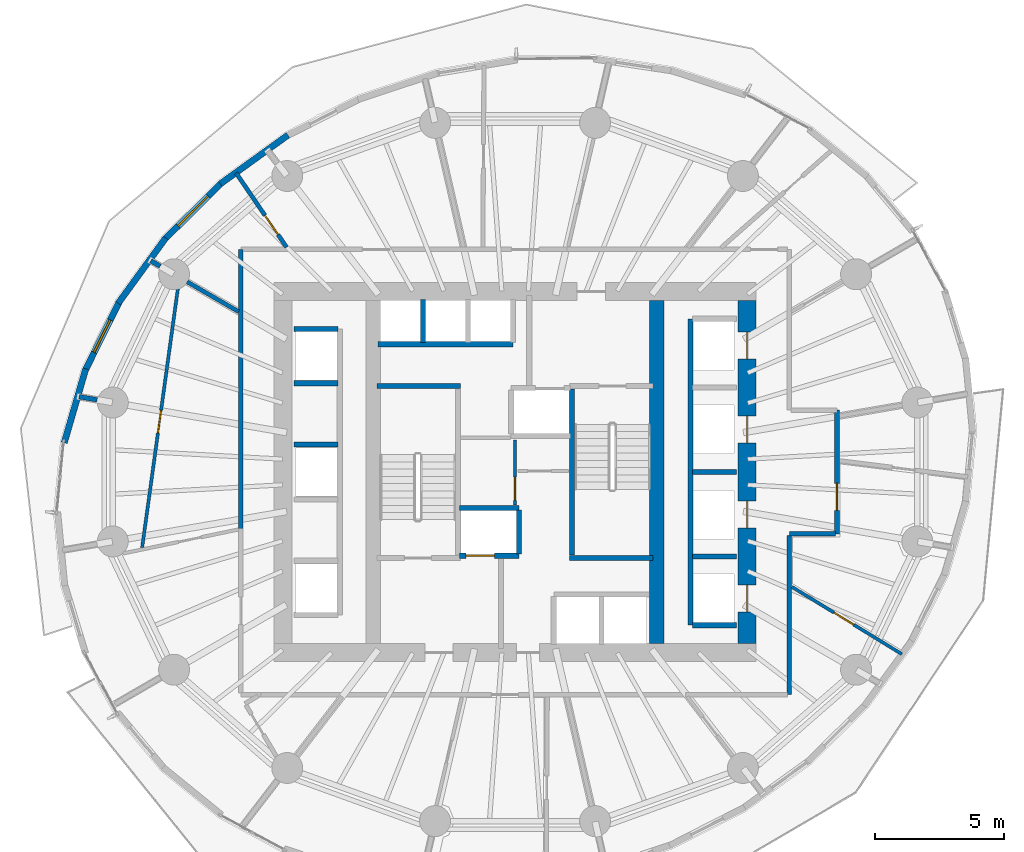
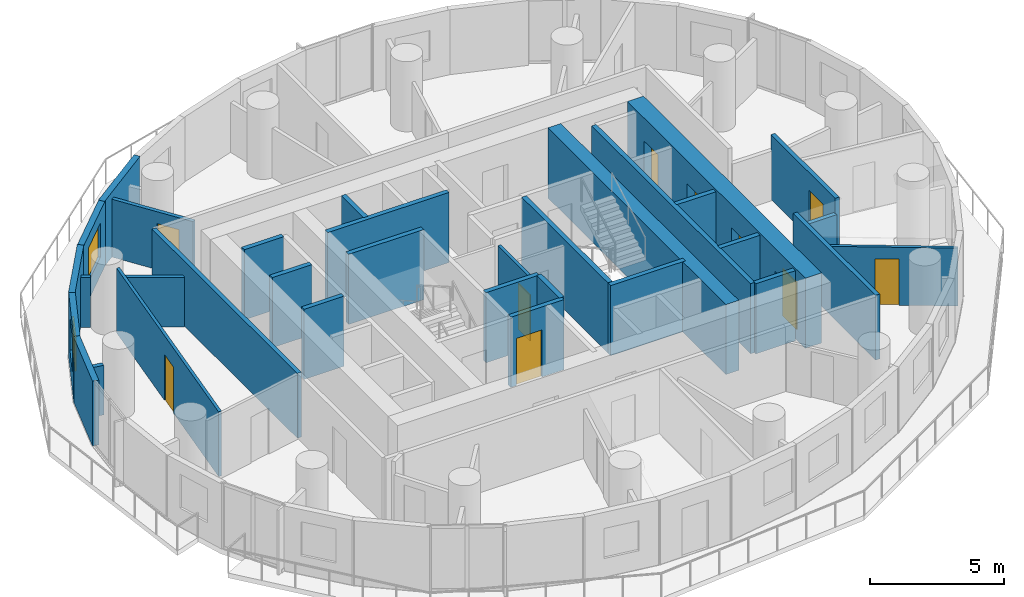
# One storey, part 8 of 14: 33 walls, 10 doors, 2 windows, 12 openings.
"""IFC4 building model written with IfcOpenShell, lengths in metres."""

from ifc_helpers import new_model, si_unit, direction, frame, frame_2d, origin, place, context, subcontext, project, spatial, rectangle, extrude, material, layer, layer_set, type_object, element, fill, save


model = new_model("IFC4")

# Units and contexts
model_context = context("Model", 3, precision=1e-05, world=origin(), true_north=direction((0.0, 1.0)))
body_context = subcontext(model_context, "Body", "Model", "MODEL_VIEW")
ifc_project = project(units=[si_unit("LENGTHUNIT", "METRE"), si_unit("AREAUNIT", "SQUARE_METRE"), si_unit("VOLUMEUNIT", "CUBIC_METRE"), si_unit("PLANEANGLEUNIT", "RADIAN"), si_unit("MASSUNIT", "GRAM", prefix="KILO")], contexts=[model_context])

# Site, building, storey
site_placement = place(None, origin())
site = spatial("IfcSite", under=ifc_project, at=site_placement, CompositionType="ELEMENT")
building_placement = place(site_placement, origin())
building = spatial("IfcBuilding", under=site, at=building_placement, Name="Veldorim Arch Residences", CompositionType="ELEMENT")
storey_placement = place(building_placement, frame((0.0, 0.0, 93.280029296875)))
storey = spatial("IfcBuildingStorey", under=building, at=storey_placement, Name="L27", CompositionType="ELEMENT", Elevation=93.280029296875)

# Wall, opening, door
ifc_material_1 = material(Name="Acoustic Gypsum Board", Category="gypsum")
ifc_layer_1 = layer(ifc_material_1, 0.125, Name="Acoustic Stud Room Partition Wall 125")
ifc_layer_set_1 = layer_set([ifc_layer_1], Name="Acoustic Gypsum Board")
wall_type_1 = type_object("IfcWallType", Name="Acoustic Stud Room Partition Wall 125", PredefinedType="PARTITIONING", material=ifc_layer_set_1)
wall_1_placement = place(storey_placement, frame((32.0, 22.719970703125, 0.0), z_axis=(0.0, 0.0, 1.0), x_axis=(0.0, 1.0, 0.0)))
wall_1 = element("IfcWall", 1, at=wall_1_placement, inside=storey, type_object=wall_type_1, Name="L27 interior wall WL-CA-L27-1", PredefinedType="PARTITIONING", context=body_context, shape_type="SweptSolid", body=[
    extrude(rectangle(XDim=2.52001953125, YDim=0.125, at=frame_2d((1.260009765625, 0.0))), origin(), (0.0, 0.0, 1.0), 2.955078125),
])
opening_1_placement = place(wall_1_placement, frame((0.179931640625, 0.0, 0.0)))
opening_1 = element("IfcOpeningElement", 2, at=opening_1_placement, cuts=wall_1, Name="Opening DR-SVC", PredefinedType="OPENING", context=body_context, shape_type="SweptSolid", body=[
    extrude(rectangle(XDim=0.89990234375, YDim=2.10009765625, at=frame_2d((0.449951171875, 1.050048828125))), frame((0.0, 0.072509765625, 0.0), z_axis=(0.0, -1.0, 0.0), x_axis=(1.0, 0.0, 0.0)), (0.0, 0.0, 1.0), 0.14501953125),
])
ifc_material_2 = material(Name="Fire-Rated Steel", Category="steel")
door_type_1 = type_object("IfcDoorType", Name="Riser, Shelter & Plant Room Rated Steel Door 900x2100", OperationType="SINGLE_SWING_LEFT", PredefinedType="DOOR", material=ifc_material_2)
door_1_placement = place(opening_1_placement, origin())
door_1 = element("IfcDoor", 3, at=door_1_placement, inside=storey, type_object=door_type_1, Name="L27 interior door DR-L27-CA2", OperationType="SINGLE_SWING_RIGHT", OverallHeight=2.10009765625, OverallWidth=0.89990234375, PredefinedType="DOOR", context=body_context, shape_type="SweptSolid", body=[
    extrude(rectangle(XDim=0.89990234375, YDim=2.10009765625, at=frame_2d((0.449951171875, 1.050048828125))), frame((0.0, 0.02490234375, 0.0), z_axis=(0.0, -1.0, 0.0), x_axis=(1.0, 0.0, 0.0)), (0.0, 0.0, 1.0), 0.050048828125),
])
fill(opening_1, door_1)

wall_2_placement = place(storey_placement, frame((46.994873046875, 16.9404296875, 0.0), z_axis=(0.0, 0.0, 1.0), x_axis=(-0.85322505129, 0.521542914678, 0.0)))
wall_2 = element("IfcWall", 4, at=wall_2_placement, inside=storey, type_object=wall_type_1, Name="L27 interior wall WL-RES-L27-018", PredefinedType="PARTITIONING", context=body_context, shape_type="SweptSolid", body=[
    extrude(rectangle(XDim=4.99560546875, YDim=0.125, at=frame_2d((2.497802734375, 0.0))), origin(), (0.0, 0.0, 1.0), 2.641357421875),
])
opening_2_placement = place(wall_2_placement, frame((2.187744140625, 0.0, 0.0)))
opening_2 = element("IfcOpeningElement", 5, at=opening_2_placement, cuts=wall_2, Name="Opening DR-INT", PredefinedType="OPENING", context=body_context, shape_type="SweptSolid", body=[
    extrude(rectangle(XDim=0.89990234375, YDim=2.10009765625, at=frame_2d((0.449951171875, 1.050048828125))), frame((0.0, 0.072509765625, 0.0), z_axis=(0.0, -1.0, 0.0), x_axis=(1.0, 0.0, 0.0)), (0.0, 0.0, 1.0), 0.14501953125),
])
ifc_material_3 = material(Name="Engineered Timber", Category="wood")
door_type_2 = type_object("IfcDoorType", Name="Apartment Internal Room Timber Door 900x2100", OperationType="SINGLE_SWING_LEFT", PredefinedType="DOOR", material=ifc_material_3)
door_2_placement = place(opening_2_placement, origin())
door_2 = element("IfcDoor", 6, at=door_2_placement, inside=storey, type_object=door_type_2, Name="L27 interior door DR-RES-L27-006", OperationType="SINGLE_SWING_RIGHT", OverallHeight=2.10009765625, OverallWidth=0.89990234375, PredefinedType="DOOR", context=body_context, shape_type="SweptSolid", body=[
    extrude(rectangle(XDim=0.89990234375, YDim=2.10009765625, at=frame_2d((0.449951171875, 1.050048828125))), frame((0.0, 0.02490234375, 0.0), z_axis=(0.0, -1.0, 0.0), x_axis=(1.0, 0.0, 0.0)), (0.0, 0.0, 1.0), 0.050048828125),
])
fill(opening_2, door_2)

wall_3_placement = place(storey_placement, frame((17.542236328125, 21.072509765625, 0.0), z_axis=(0.0, 0.0, 1.0), x_axis=(0.136714950607, 0.99061042912, 0.0)))
wall_3 = element("IfcWall", 7, at=wall_3_placement, inside=storey, type_object=wall_type_1, Name="L27 interior wall WL-RES-L27-032", PredefinedType="PARTITIONING", context=body_context, shape_type="SweptSolid", body=[
    extrude(rectangle(XDim=10.119873046875, YDim=0.125, at=frame_2d((5.06005859375, 0.0))), origin(), (0.0, 0.0, 1.0), 2.955078125),
])
opening_3_placement = place(wall_3_placement, frame((4.469970703125, 0.0, 0.0)))
opening_3 = element("IfcOpeningElement", 8, at=opening_3_placement, cuts=wall_3, Name="Opening DR-INT", PredefinedType="OPENING", context=body_context, shape_type="SweptSolid", body=[
    extrude(rectangle(XDim=0.89990234375, YDim=2.10009765625, at=frame_2d((0.449951171875, 1.050048828125))), frame((0.0, 0.072509765625, 0.0), z_axis=(0.0, -1.0, 0.0), x_axis=(1.0, 0.0, 0.0)), (0.0, 0.0, 1.0), 0.14501953125),
])
door_3_placement = place(opening_3_placement, origin())
door_3 = element("IfcDoor", 9, at=door_3_placement, inside=storey, type_object=door_type_2, Name="L27 interior door DR-RES-L27-019", OperationType="SINGLE_SWING_LEFT", OverallHeight=2.10009765625, OverallWidth=0.89990234375, PredefinedType="DOOR", context=body_context, shape_type="SweptSolid", body=[
    extrude(rectangle(XDim=0.89990234375, YDim=2.10009765625, at=frame_2d((0.449951171875, 1.050048828125))), frame((0.0, 0.02490234375, 0.0), z_axis=(0.0, -1.0, 0.0), x_axis=(1.0, 0.0, 0.0)), (0.0, 0.0, 1.0), 0.050048828125),
])
fill(opening_3, door_3)

# Walls
ifc_material_4 = material(Name="Lightweight Masonry Block & Gypsum", Category="masonry")
ifc_layer_2 = layer(ifc_material_4, 0.179931640625, Name="Compartment & Corridor Fire-Rated Party Wall 180")
ifc_layer_set_2 = layer_set([ifc_layer_2], Name="Lightweight Masonry Block & Gypsum")
wall_type_2 = type_object("IfcWallType", Name="Compartment & Corridor Fire-Rated Party Wall 180", PredefinedType="PARTITIONING", material=ifc_layer_set_2)
wall_4_placement = place(storey_placement, frame((18.243408203125, 31.977783203125, 0.0), z_axis=(0.0, 0.0, 1.0), x_axis=(-0.864926134071, 0.501899175733, 0.0)))
element("IfcWall", 10, at=wall_4_placement, inside=storey, type_object=wall_type_2, Name="L27 interior wall WL-PIER-L27-07", PredefinedType="PARTITIONING", context=body_context, shape_type="SweptSolid", body=[
    extrude(rectangle(XDim=0.423583984375, YDim=0.179931640625, at=frame_2d((0.2119140625, 0.0))), origin(), (0.0, 0.0, 1.0), 2.26025390625),
])
wall_5_placement = place(storey_placement, frame((15.79443359375, 26.797607421875, 0.0), z_axis=(0.0, 0.0, 1.0), x_axis=(-0.985420399327, 0.17013711115, 0.0)))
element("IfcWall", 11, at=wall_5_placement, inside=storey, type_object=wall_type_2, Name="L27 interior wall WL-PIER-L27-08", PredefinedType="PARTITIONING", context=body_context, shape_type="SweptSolid", body=[
    extrude(rectangle(XDim=0.710205078125, YDim=0.179931640625, at=frame_2d((0.35498046875, 0.0))), origin(), (0.0, 0.0, 1.0), 2.26025390625),
])

# Wall, opening, door
wall_6_placement = place(storey_placement, frame((44.47998046875, 26.39990234375, 0.0), z_axis=(0.0, 0.0, 1.0), x_axis=(0.0, -1.0, 0.0)))
wall_6 = element("IfcWall", 12, at=wall_6_placement, inside=storey, type_object=wall_type_2, Name="L27 interior wall WL-RES-L27-002", PredefinedType="PARTITIONING", context=body_context, shape_type="SweptSolid", body=[
    extrude(rectangle(XDim=4.7998046875, YDim=0.179931640625, at=frame_2d((2.39990234375, 0.0))), origin(), (0.0, 0.0, 1.0), 2.955078125),
])
opening_4_placement = place(wall_6_placement, frame((2.839599609375, 0.0, 0.0)))
opening_4 = element("IfcOpeningElement", 13, at=opening_4_placement, cuts=wall_6, Name="Opening DR-FLT", PredefinedType="OPENING", context=body_context, shape_type="SweptSolid", body=[
    extrude(rectangle(XDim=1.050048828125, YDim=2.14990234375, at=frame_2d((0.52490234375, 1.074951171875))), frame((0.0, 0.099853515625, 0.0), z_axis=(0.0, -1.0, 0.0), x_axis=(1.0, 0.0, 0.0)), (0.0, 0.0, 1.0), 0.199951171875),
])
ifc_material_5 = material(Name="Fire-Rated Timber", Category="wood")
door_type_3 = type_object("IfcDoorType", Name="Apartment Entrance Solid-Core Fire Door 1050x2150", OperationType="SINGLE_SWING_LEFT", PredefinedType="DOOR", material=ifc_material_5)
door_4_placement = place(opening_4_placement, origin())
door_4 = element("IfcDoor", 14, at=door_4_placement, inside=storey, type_object=door_type_3, Name="L27 interior door DR-RES-L27-004", OperationType="SINGLE_SWING_RIGHT", OverallHeight=2.14990234375, OverallWidth=1.050048828125, PredefinedType="DOOR", context=body_context, shape_type="SweptSolid", body=[
    extrude(rectangle(XDim=1.050048828125, YDim=2.14990234375, at=frame_2d((0.52490234375, 1.074951171875))), frame((0.0, 0.02490234375, 0.0), z_axis=(0.0, -1.0, 0.0), x_axis=(1.0, 0.0, 0.0)), (0.0, 0.0, 1.0), 0.050048828125),
])
fill(opening_4, door_4)

# Walls
wall_7_placement = place(storey_placement, frame((44.419921875, 21.60009765625, 0.0), z_axis=(0.0, 0.0, 1.0), x_axis=(-1.0, 0.0, 0.0)))
element("IfcWall", 15, at=wall_7_placement, inside=storey, type_object=wall_type_2, Name="L27 interior wall WL-RES-L27-003", PredefinedType="PARTITIONING", context=body_context, shape_type="SweptSolid", body=[
    extrude(rectangle(XDim=1.7900390625, YDim=0.179931640625, at=frame_2d((0.89501953125, 0.0))), origin(), (0.0, 0.0, 1.0), 2.26025390625),
])
wall_8_placement = place(storey_placement, frame((42.6298828125, 21.5400390625, 0.0), z_axis=(0.0, 0.0, 1.0), x_axis=(0.0, -1.0, 0.0)))
element("IfcWall", 16, at=wall_8_placement, inside=storey, type_object=wall_type_2, Name="L27 interior wall WL-RES-L27-004", PredefinedType="PARTITIONING", context=body_context, shape_type="SweptSolid", body=[
    extrude(rectangle(XDim=6.169921875, YDim=0.179931640625, at=frame_2d((3.0849609375, 0.0))), origin(), (0.0, 0.0, 1.0), 2.955078125),
])
wall_9_placement = place(storey_placement, frame((21.3701171875, 21.770751953125, 0.0), z_axis=(0.0, 0.0, 1.0), x_axis=(0.0, 1.0, 0.0)))
element("IfcWall", 17, at=wall_9_placement, inside=storey, type_object=wall_type_2, Name="L27 interior wall WL-RES-L27-010", PredefinedType="PARTITIONING", context=body_context, shape_type="SweptSolid", body=[
    extrude(rectangle(XDim=10.859130859375, YDim=0.179931640625, at=frame_2d((5.4296875, 0.0))), origin(), (0.0, 0.0, 1.0), 2.955078125),
])
ifc_material_6 = material(Name="Concrete C50/60", Category="concrete")
ifc_layer_3 = layer(ifc_material_6, 0.199951171875, Name="Core Stair & Lift Shaft Enclosure Wall 200")
ifc_layer_set_3 = layer_set([ifc_layer_3], Name="Concrete C50/60")
wall_type_3 = type_object("IfcWallType", Name="Core Stair & Lift Shaft Enclosure Wall 200", PredefinedType="SHEAR", material=ifc_layer_set_3)
wall_10_placement = place(storey_placement, frame((26.64990234375, 27.330078125, 0.0), z_axis=(0.0, 0.0, 1.0), x_axis=(1.0, 0.0, 0.0)))
element("IfcWall", 18, at=wall_10_placement, inside=storey, type_object=wall_type_3, Name="L27 shaft wall WL-SHF-L27-ST1-N", PredefinedType="SHEAR", context=body_context, shape_type="SweptSolid", body=[
    extrude(rectangle(XDim=3.239990234375, YDim=0.199951171875, at=frame_2d((1.6201171875, 0.0))), origin(), (0.0, 0.0, 1.0), 3.199951171875),
])
wall_11_placement = place(storey_placement, frame((34.2099609375, 20.780029296875, 0.0), z_axis=(0.0, 0.0, 1.0), x_axis=(0.0, 1.0, 0.0)))
element("IfcWall", 19, at=wall_11_placement, inside=storey, type_object=wall_type_3, Name="L27 shaft wall WL-SHF-L27-ST2-W", PredefinedType="SHEAR", context=body_context, shape_type="SweptSolid", body=[
    extrude(rectangle(XDim=6.43994140625, YDim=0.199951171875, at=frame_2d((3.219970703125, 0.0))), origin(), (0.0, 0.0, 1.0), 3.199951171875),
])
wall_12_placement = place(storey_placement, frame((34.110107421875, 20.669921875, 0.0), z_axis=(0.0, 0.0, 1.0), x_axis=(1.0, 0.0, 0.0)))
element("IfcWall", 20, at=wall_12_placement, inside=storey, type_object=wall_type_3, Name="L27 shaft wall WL-SHF-L27-ST2-S", PredefinedType="SHEAR", context=body_context, shape_type="SweptSolid", body=[
    extrude(rectangle(XDim=3.239990234375, YDim=0.199951171875, at=frame_2d((1.6201171875, 0.0))), origin(), (0.0, 0.0, 1.0), 3.199951171875),
])

# Wall, opening, door
wall_13_placement = place(storey_placement, frame((29.85009765625, 20.75, 0.0), z_axis=(0.0, 0.0, 1.0), x_axis=(1.0, 0.0, 0.0)))
wall_13 = element("IfcWall", 21, at=wall_13_placement, inside=storey, type_object=wall_type_3, Name="L27 shaft wall WL-FL01-L27-S", PredefinedType="SHEAR", context=body_context, shape_type="SweptSolid", body=[
    extrude(rectangle(XDim=2.2998046875, YDim=0.199951171875, at=frame_2d((1.14990234375, 0.0))), origin(), (0.0, 0.0, 1.0), 3.199951171875),
])
opening_5_placement = place(wall_13_placement, frame((0.25, 0.0, 0.0)))
opening_5 = element("IfcOpeningElement", 22, at=opening_5_placement, cuts=wall_13, Name="Opening LD-FF", PredefinedType="OPENING", context=body_context, shape_type="SweptSolid", body=[
    extrude(rectangle(XDim=1.10009765625, YDim=2.14990234375, at=frame_2d((0.550048828125, 1.074951171875))), frame((0.0, 0.10986328125, 0.0), z_axis=(0.0, -1.0, 0.0), x_axis=(1.0, 0.0, 0.0)), (0.0, 0.0, 1.0), 0.219970703125),
])
ifc_material_7 = material(Name="Stainless Steel", Category="steel")
door_type_4 = type_object("IfcDoorType", Name="Firefighting Lift Bi-Parting Sliding Landing Door 1100x2150", OperationType="DOUBLE_DOOR_SLIDING", PredefinedType="DOOR", material=ifc_material_7)
door_5_placement = place(opening_5_placement, origin())
door_5 = element("IfcDoor", 23, at=door_5_placement, inside=storey, type_object=door_type_4, Name="L27 lift landing door LD-L27-FL01", OperationType="DOUBLE_DOOR_SLIDING", OverallHeight=2.14990234375, OverallWidth=1.10009765625, PredefinedType="DOOR", context=body_context, shape_type="SweptSolid", body=[
    extrude(rectangle(XDim=1.10009765625, YDim=2.14990234375, at=frame_2d((0.550048828125, 1.074951171875))), frame((0.0, 0.02490234375, 0.0), z_axis=(0.0, -1.0, 0.0), x_axis=(1.0, 0.0, 0.0)), (0.0, 0.0, 1.0), 0.050048828125),
])
fill(opening_5, door_5)

# Walls
wall_14_placement = place(storey_placement, frame((29.85009765625, 22.60009765625, 0.0), z_axis=(0.0, 0.0, 1.0), x_axis=(1.0, 0.0, 0.0)))
element("IfcWall", 24, at=wall_14_placement, inside=storey, type_object=wall_type_3, Name="L27 shaft wall WL-FL01-L27-N", PredefinedType="SHEAR", context=body_context, shape_type="SweptSolid", body=[
    extrude(rectangle(XDim=2.2998046875, YDim=0.199951171875, at=frame_2d((1.14990234375, 0.0))), origin(), (0.0, 0.0, 1.0), 3.199951171875),
])
wall_15_placement = place(storey_placement, frame((32.14990234375, 20.820068359375, 0.0), z_axis=(0.0, 0.0, 1.0), x_axis=(0.0, 1.0, 0.0)))
element("IfcWall", 25, at=wall_15_placement, inside=storey, type_object=wall_type_3, Name="L27 shaft wall WL-FL01-L27-E", PredefinedType="SHEAR", context=body_context, shape_type="SweptSolid", body=[
    extrude(rectangle(XDim=1.7099609375, YDim=0.199951171875, at=frame_2d((0.85498046875, 0.0))), origin(), (0.0, 0.0, 1.0), 3.199951171875),
])
wall_16_placement = place(storey_placement, frame((38.800048828125, 18.06005859375, 0.0), z_axis=(0.0, 0.0, 1.0), x_axis=(0.0, 1.0, 0.0)))
element("IfcWall", 26, at=wall_16_placement, inside=storey, type_object=wall_type_3, Name="L27 shaft wall WL-B1-L27-W", PredefinedType="SHEAR", context=body_context, shape_type="SweptSolid", body=[
    extrude(rectangle(XDim=11.8798828125, YDim=0.199951171875, at=frame_2d((5.93994140625, 0.0))), origin(), (0.0, 0.0, 1.0), 3.199951171875),
])
for number, where, z_axis, x_axis, name in (
    (27, (38.8701171875, 18.06005859375, 0.0), (0.0, 0.0, 1.0), (1.0, 0.0, 0.0), "L27 shaft wall WL-B1-L27-S"),
    (28, (38.8701171875, 20.72509765625, 0.0), (0.0, 0.0, 1.0), (1.0, 0.0, 0.0), "L27 shaft wall WL-B1-L27-D1"),
    (29, (38.8701171875, 24.0, 0.0), (0.0, 0.0, 1.0), (1.0, 0.0, 0.0), "L27 shaft wall WL-B1-L27-D2"),
    (30, (23.419921875, 29.5400390625, 0.0), (0.0, 0.0, 1.0), (1.0, 0.0, 0.0), "L27 shaft wall WL-B2-L27-N"),
    (31, (23.419921875, 25.06005859375, 0.0), (0.0, 0.0, 1.0), (1.0, 0.0, 0.0), "L27 shaft wall WL-B2-L27-D2A"),
    (32, (23.419921875, 27.43994140625, 0.0), (0.0, 0.0, 1.0), (1.0, 0.0, 0.0), "L27 shaft wall WL-B2-L27-D2B"),
):
    element("IfcWall", number, at=place(storey_placement, frame(where, z_axis=z_axis, x_axis=x_axis)), inside=storey, type_object=wall_type_3, Name=name, PredefinedType="SHEAR", context=body_context, shape_type="SweptSolid", body=[
        extrude(rectangle(XDim=1.7099609375, YDim=0.199951171875, at=frame_2d((0.85498046875, 0.0))), origin(), (0.0, 0.0, 1.0), 3.199951171875),
    ])
wall_17_placement = place(storey_placement, frame((26.679931640625, 28.949951171875, 0.0), z_axis=(0.0, 0.0, 1.0), x_axis=(1.0, 0.0, 0.0)))
element("IfcWall", 33, at=wall_17_placement, inside=storey, type_object=wall_type_3, Name="L27 shaft wall WL-B3-L27-S", PredefinedType="SHEAR", context=body_context, shape_type="SweptSolid", body=[
    extrude(rectangle(XDim=5.239990234375, YDim=0.199951171875, at=frame_2d((2.6201171875, 0.0))), origin(), (0.0, 0.0, 1.0), 3.199951171875),
])
wall_18_placement = place(storey_placement, frame((28.425048828125, 29.02001953125, 0.0), z_axis=(0.0, 0.0, 1.0), x_axis=(0.0, 1.0, 0.0)))
element("IfcWall", 34, at=wall_18_placement, inside=storey, type_object=wall_type_3, Name="L27 shaft wall WL-B3-L27-D1", PredefinedType="SHEAR", context=body_context, shape_type="SweptSolid", body=[
    extrude(rectangle(XDim=1.659912109375, YDim=0.199951171875, at=frame_2d((0.830078125, 0.0))), origin(), (0.0, 0.0, 1.0), 3.199951171875),
])
ifc_material_8 = material(Name="Concrete C60/75", Category="concrete")
ifc_layer_4 = layer(ifc_material_8, 0.56005859375, Name="Internal Core Shear Web Wall 560")
ifc_layer_set_4 = layer_set([ifc_layer_4], Name="Concrete C60/75")
wall_type_4 = type_object("IfcWallType", Name="Internal Core Shear Web Wall 560", PredefinedType="SHEAR", material=ifc_layer_set_4)
wall_19_placement = place(storey_placement, frame((37.5, 17.35009765625, 0.0), z_axis=(0.0, 0.0, 1.0), x_axis=(0.0, 1.0, 0.0)))
element("IfcWall", 35, at=wall_19_placement, inside=storey, type_object=wall_type_4, Name="L27 core east internal shear web", PredefinedType="SHEAR", context=body_context, shape_type="SweptSolid", body=[
    extrude(rectangle(XDim=13.2998046875, YDim=0.56005859375, at=frame_2d((6.64990234375, 0.0))), origin(), (0.0, 0.0, 1.0), 3.199951171875),
])

# Wall, openings, doors
ifc_material_9 = material(Name="Concrete C60/75", Category="concrete")
ifc_layer_5 = layer(ifc_material_9, 0.699951171875, Name="Mid-Lower Central Core Shear Wall 700")
ifc_layer_set_5 = layer_set([ifc_layer_5], Name="Concrete C60/75")
wall_type_5 = type_object("IfcWallType", Name="Mid-Lower Central Core Shear Wall 700", PredefinedType="SHEAR", material=ifc_layer_set_5)
wall_20_placement = place(storey_placement, frame((41.0, 17.35009765625, 0.0), z_axis=(0.0, 0.0, 1.0), x_axis=(0.0, 1.0, 0.0)))
wall_20 = element("IfcWall", 36, at=wall_20_placement, inside=storey, type_object=wall_type_5, Name="L27 central core east shear wall", PredefinedType="SHEAR", context=body_context, shape_type="SweptSolid", body=[
    extrude(rectangle(XDim=13.2998046875, YDim=0.699951171875, at=frame_2d((6.64990234375, 0.0))), origin(), (0.0, 0.0, 1.0), 3.199951171875),
])
opening_6_placement = place(wall_20_placement, frame((1.22509765625, 0.0, 0.0)))
opening_6 = element("IfcOpeningElement", 37, at=opening_6_placement, cuts=wall_20, Name="Opening LD-PS", PredefinedType="OPENING", context=body_context, shape_type="SweptSolid", body=[
    extrude(rectangle(XDim=1.050048828125, YDim=2.14990234375, at=frame_2d((0.52490234375, 1.074951171875))), frame((0.0, 0.35986328125, 0.0), z_axis=(0.0, -1.0, 0.0), x_axis=(1.0, 0.0, 0.0)), (0.0, 0.0, 1.0), 0.719970703125),
])
opening_7_placement = place(wall_20_placement, frame((4.47509765625, 0.0, 0.0)))
opening_7 = element("IfcOpeningElement", 38, at=opening_7_placement, cuts=wall_20, Name="Opening LD-PS", PredefinedType="OPENING", context=body_context, shape_type="SweptSolid", body=[
    extrude(rectangle(XDim=1.050048828125, YDim=2.14990234375, at=frame_2d((0.52490234375, 1.074951171875))), frame((0.0, 0.35986328125, 0.0), z_axis=(0.0, -1.0, 0.0), x_axis=(1.0, 0.0, 0.0)), (0.0, 0.0, 1.0), 0.719970703125),
])
opening_8_placement = place(wall_20_placement, frame((7.77490234375, 0.0, 0.0)))
opening_8 = element("IfcOpeningElement", 39, at=opening_8_placement, cuts=wall_20, Name="Opening LD-PS", PredefinedType="OPENING", context=body_context, shape_type="SweptSolid", body=[
    extrude(rectangle(XDim=1.050048828125, YDim=2.14990234375, at=frame_2d((0.52490234375, 1.074951171875))), frame((0.0, 0.35986328125, 0.0), z_axis=(0.0, -1.0, 0.0), x_axis=(1.0, 0.0, 0.0)), (0.0, 0.0, 1.0), 0.719970703125),
])
opening_9_placement = place(wall_20_placement, frame((11.02490234375, 0.0, 0.0)))
opening_9 = element("IfcOpeningElement", 40, at=opening_9_placement, cuts=wall_20, Name="Opening LD-PS", PredefinedType="OPENING", context=body_context, shape_type="SweptSolid", body=[
    extrude(rectangle(XDim=1.050048828125, YDim=2.14990234375, at=frame_2d((0.52490234375, 1.074951171875))), frame((0.0, 0.35986328125, 0.0), z_axis=(0.0, -1.0, 0.0), x_axis=(1.0, 0.0, 0.0)), (0.0, 0.0, 1.0), 0.719970703125),
])
ifc_material_10 = material(Name="Stainless Steel", Category="steel")
door_type_5 = type_object("IfcDoorType", Name="Passenger Lift Bi-Parting Sliding Landing Door 1050x2150", OperationType="DOUBLE_DOOR_SLIDING", PredefinedType="DOOR", material=ifc_material_10)
door_6_placement = place(opening_6_placement, origin())
door_6 = element("IfcDoor", 41, at=door_6_placement, inside=storey, type_object=door_type_5, Name="L27 lift landing door LD-L27-PL-01", OperationType="DOUBLE_DOOR_SLIDING", OverallHeight=2.14990234375, OverallWidth=1.050048828125, PredefinedType="DOOR", context=body_context, shape_type="SweptSolid", body=[
    extrude(rectangle(XDim=1.050048828125, YDim=2.14990234375, at=frame_2d((0.52490234375, 1.074951171875))), frame((0.0, 0.02490234375, 0.0), z_axis=(0.0, -1.0, 0.0), x_axis=(1.0, 0.0, 0.0)), (0.0, 0.0, 1.0), 0.050048828125),
])
fill(opening_6, door_6)
door_7_placement = place(opening_7_placement, origin())
door_7 = element("IfcDoor", 42, at=door_7_placement, inside=storey, type_object=door_type_5, Name="L27 lift landing door LD-L27-PL-02", OperationType="DOUBLE_DOOR_SLIDING", OverallHeight=2.14990234375, OverallWidth=1.050048828125, PredefinedType="DOOR", context=body_context, shape_type="SweptSolid", body=[
    extrude(rectangle(XDim=1.050048828125, YDim=2.14990234375, at=frame_2d((0.52490234375, 1.074951171875))), frame((0.0, 0.02490234375, 0.0), z_axis=(0.0, -1.0, 0.0), x_axis=(1.0, 0.0, 0.0)), (0.0, 0.0, 1.0), 0.050048828125),
])
fill(opening_7, door_7)
door_8_placement = place(opening_8_placement, origin())
door_8 = element("IfcDoor", 43, at=door_8_placement, inside=storey, type_object=door_type_5, Name="L27 lift landing door LD-L27-PL-03", OperationType="DOUBLE_DOOR_SLIDING", OverallHeight=2.14990234375, OverallWidth=1.050048828125, PredefinedType="DOOR", context=body_context, shape_type="SweptSolid", body=[
    extrude(rectangle(XDim=1.050048828125, YDim=2.14990234375, at=frame_2d((0.52490234375, 1.074951171875))), frame((0.0, 0.02490234375, 0.0), z_axis=(0.0, -1.0, 0.0), x_axis=(1.0, 0.0, 0.0)), (0.0, 0.0, 1.0), 0.050048828125),
])
fill(opening_8, door_8)
door_9_placement = place(opening_9_placement, origin())
door_9 = element("IfcDoor", 44, at=door_9_placement, inside=storey, type_object=door_type_5, Name="L27 lift landing door LD-L27-PL-04", OperationType="DOUBLE_DOOR_SLIDING", OverallHeight=2.14990234375, OverallWidth=1.050048828125, PredefinedType="DOOR", context=body_context, shape_type="SweptSolid", body=[
    extrude(rectangle(XDim=1.050048828125, YDim=2.14990234375, at=frame_2d((0.52490234375, 1.074951171875))), frame((0.0, 0.02490234375, 0.0), z_axis=(0.0, -1.0, 0.0), x_axis=(1.0, 0.0, 0.0)), (0.0, 0.0, 1.0), 0.050048828125),
])
fill(opening_9, door_9)

# Wall
ifc_material_11 = material(Name="Precast concrete C40/50", Category="concrete")
ifc_layer_6 = layer(ifc_material_11, 0.25, Name="Tower Terracotta Spandrel & Pier Wall 250")
ifc_layer_set_6 = layer_set([ifc_layer_6], Name="Precast concrete C40/50")
wall_type_6 = type_object("IfcWallType", Name="Tower Terracotta Spandrel & Pier Wall 250", PredefinedType="SOLIDWALL", material=ifc_layer_set_6)
wall_21_placement = place(storey_placement, frame((20.568359375, 35.171142578125, 0.0), z_axis=(0.0, 0.0, 1.0), x_axis=(0.81131534838, 0.584608762749, 0.0)))
element("IfcWall", 45, at=wall_21_placement, inside=storey, type_object=wall_type_6, Name="L27 terracotta facade wall 11", PredefinedType="SOLIDWALL", context=body_context, shape_type="SweptSolid", body=[
    extrude(rectangle(XDim=3.236083984375, YDim=0.25, at=frame_2d((1.6181640625, 0.0))), origin(), (0.0, 0.0, 1.0), 2.9599609375),
])

# Wall, opening, window
wall_22_placement = place(storey_placement, frame((18.3837890625, 32.995849609375, 0.0), z_axis=(0.0, 0.0, 1.0), x_axis=(0.710540573889, 0.703656232017, 0.0)))
wall_22 = element("IfcWall", 46, at=wall_22_placement, inside=storey, type_object=wall_type_6, Name="L27 terracotta facade wall 12", PredefinedType="SOLIDWALL", context=body_context, shape_type="SweptSolid", body=[
    extrude(rectangle(XDim=3.191650390625, YDim=0.25, at=frame_2d((1.595703125, 0.0))), origin(), (0.0, 0.0, 1.0), 2.9599609375),
])
opening_10_placement = place(wall_22_placement, frame((0.77099609375, 0.0, 0.85009765625)))
opening_10 = element("IfcOpeningElement", 47, at=opening_10_placement, cuts=wall_22, Name="Opening WN-03", PredefinedType="OPENING", context=body_context, shape_type="SweptSolid", body=[
    extrude(rectangle(XDim=1.64990234375, YDim=1.550048828125, at=frame_2d((0.824951171875, 0.77490234375))), frame((0.0, 0.135009765625, 0.0), z_axis=(0.0, -1.0, 0.0), x_axis=(1.0, 0.0, 0.0)), (0.0, 0.0, 1.0), 0.27001953125),
])
ifc_material_12 = material(Name="Laminated Low-E Glass", Category="glass")
window_type_1 = type_object("IfcWindowType", Name="Residential Wide Window 1650x1550", PartitioningType="SINGLE_PANEL", PredefinedType="WINDOW", material=ifc_material_12)
window_1_placement = place(opening_10_placement, origin())
window_1 = element("IfcWindow", 48, at=window_1_placement, inside=storey, type_object=window_type_1, Name="L27 solar-control facade window 12", OverallHeight=1.550048828125, OverallWidth=1.64990234375, PartitioningType="SINGLE_PANEL", PredefinedType="WINDOW", context=body_context, shape_type="SweptSolid", body=[
    extrude(rectangle(XDim=1.64990234375, YDim=1.550048828125, at=frame_2d((0.824951171875, 0.77490234375))), frame((0.0, 0.030029296875, 0.0), z_axis=(0.0, -1.0, 0.0), x_axis=(1.0, 0.0, 0.0)), (0.0, 0.0, 1.0), 0.06005859375),
])
fill(opening_10, window_1)

# Wall
wall_23_placement = place(storey_placement, frame((16.613525390625, 30.546875, 0.0), z_axis=(0.0, 0.0, 1.0), x_axis=(0.588208785685, 0.808709109905, 0.0)))
element("IfcWall", 49, at=wall_23_placement, inside=storey, type_object=wall_type_6, Name="L27 terracotta facade wall 13", PredefinedType="SOLIDWALL", context=body_context, shape_type="SweptSolid", body=[
    extrude(rectangle(XDim=3.131103515625, YDim=0.25, at=frame_2d((1.5654296875, 0.0))), origin(), (0.0, 0.0, 1.0), 2.9599609375),
])

# Wall, opening, window
wall_24_placement = place(storey_placement, frame((15.31201171875, 27.899169921875, 0.0), z_axis=(0.0, 0.0, 1.0), x_axis=(0.443988069997, 0.896032696781, 0.0)))
wall_24 = element("IfcWall", 50, at=wall_24_placement, inside=storey, type_object=wall_type_6, Name="L27 terracotta facade wall 14", PredefinedType="SOLIDWALL", context=body_context, shape_type="SweptSolid", body=[
    extrude(rectangle(XDim=3.060546875, YDim=0.25, at=frame_2d((1.5302734375, 0.0))), origin(), (0.0, 0.0, 1.0), 2.9599609375),
])
opening_11_placement = place(wall_24_placement, frame((0.830078125, 0.0, 0.85009765625)))
opening_11 = element("IfcOpeningElement", 51, at=opening_11_placement, cuts=wall_24, Name="Opening WN-02", PredefinedType="OPENING", context=body_context, shape_type="SweptSolid", body=[
    extrude(rectangle(XDim=1.39990234375, YDim=1.550048828125, at=frame_2d((0.699951171875, 0.77490234375))), frame((0.0, 0.135009765625, 0.0), z_axis=(0.0, -1.0, 0.0), x_axis=(1.0, 0.0, 0.0)), (0.0, 0.0, 1.0), 0.27001953125),
])
ifc_material_13 = material(Name="Laminated Low-E Glass", Category="glass")
window_type_2 = type_object("IfcWindowType", Name="Residential Casement Window 1400x1550", PartitioningType="SINGLE_PANEL", PredefinedType="WINDOW", material=ifc_material_13)
window_2_placement = place(opening_11_placement, origin())
window_2 = element("IfcWindow", 52, at=window_2_placement, inside=storey, type_object=window_type_2, Name="L27 solar-control facade window 14", OverallHeight=1.550048828125, OverallWidth=1.39990234375, PartitioningType="SINGLE_PANEL", PredefinedType="WINDOW", context=body_context, shape_type="SweptSolid", body=[
    extrude(rectangle(XDim=1.39990234375, YDim=1.550048828125, at=frame_2d((0.699951171875, 0.77490234375))), frame((0.0, 0.030029296875, 0.0), z_axis=(0.0, -1.0, 0.0), x_axis=(1.0, 0.0, 0.0)), (0.0, 0.0, 1.0), 0.06005859375),
])
fill(opening_11, window_2)

# Wall
wall_25_placement = place(storey_placement, frame((14.5185546875, 25.133544921875, 0.0), z_axis=(0.0, 0.0, 1.0), x_axis=(0.279152874041, 0.960246672952, 0.0)))
element("IfcWall", 53, at=wall_25_placement, inside=storey, type_object=wall_type_6, Name="L27 terracotta facade wall 15", PredefinedType="SOLIDWALL", context=body_context, shape_type="SweptSolid", body=[
    extrude(rectangle(XDim=2.988525390625, YDim=0.25, at=frame_2d((1.494140625, 0.0))), origin(), (0.0, 0.0, 1.0), 2.9599609375),
])

# Wall, opening, door
ifc_material_14 = material(Name="Moisture-Resistant Gypsum & Stud", Category="gypsum")
ifc_layer_7 = layer(ifc_material_14, 0.159912109375, Name="Wet-Area Moisture-Resistant Plumbing Wall 160")
ifc_layer_set_7 = layer_set([ifc_layer_7], Name="Moisture-Resistant Gypsum & Stud")
wall_type_7 = type_object("IfcWallType", Name="Wet-Area Moisture-Resistant Plumbing Wall 160", PredefinedType="PLUMBINGWALL", material=ifc_layer_set_7)
wall_26_placement = place(storey_placement, frame((23.1416015625, 32.712646484375, 0.0), z_axis=(0.0, 0.0, 1.0), x_axis=(-0.561921019334, 0.827190889717, 0.0)))
wall_26 = element("IfcWall", 54, at=wall_26_placement, inside=storey, type_object=wall_type_7, Name="L27 interior wall WL-RES-L27-027", PredefinedType="PLUMBINGWALL", context=body_context, shape_type="SweptSolid", body=[
    extrude(rectangle(XDim=3.4853515625, YDim=0.159912109375, at=frame_2d((1.74267578125, 0.0))), origin(), (0.0, 0.0, 1.0), 2.641357421875),
])
opening_12_placement = place(wall_26_placement, frame((0.5927734375, 0.0, 0.0)))
opening_12 = element("IfcOpeningElement", 55, at=opening_12_placement, cuts=wall_26, Name="Opening DR-WC", PredefinedType="OPENING", context=body_context, shape_type="SweptSolid", body=[
    extrude(rectangle(XDim=0.89990234375, YDim=2.10009765625, at=frame_2d((0.449951171875, 1.050048828125))), frame((0.0, 0.08984375, 0.0), z_axis=(0.0, -1.0, 0.0), x_axis=(1.0, 0.0, 0.0)), (0.0, 0.0, 1.0), 0.179931640625),
])
ifc_material_15 = material(Name="Laminate Timber", Category="wood")
door_type_6 = type_object("IfcDoorType", Name="Bathroom & Accessible WC Moisture-Sealed Door 900x2100", OperationType="SINGLE_SWING_LEFT", PredefinedType="DOOR", material=ifc_material_15)
door_10_placement = place(opening_12_placement, origin())
door_10 = element("IfcDoor", 56, at=door_10_placement, inside=storey, type_object=door_type_6, Name="L27 interior door DR-RES-L27-015", OperationType="SINGLE_SWING_LEFT", OverallHeight=2.10009765625, OverallWidth=0.89990234375, PredefinedType="DOOR", context=body_context, shape_type="SweptSolid", body=[
    extrude(rectangle(XDim=0.89990234375, YDim=2.10009765625, at=frame_2d((0.449951171875, 1.050048828125))), frame((0.0, 0.02490234375, 0.0), z_axis=(0.0, -1.0, 0.0), x_axis=(1.0, 0.0, 0.0)), (0.0, 0.0, 1.0), 0.050048828125),
])
fill(opening_12, door_10)

# Wall
wall_27_placement = place(storey_placement, frame((21.283447265625, 30.21484375, 0.0), z_axis=(0.0, 0.0, 1.0), x_axis=(-0.865054150745, 0.501678498921, 0.0)))
element("IfcWall", 57, at=wall_27_placement, inside=storey, type_object=wall_type_7, Name="L27 interior wall WL-RES-L27-028", PredefinedType="PLUMBINGWALL", context=body_context, shape_type="SweptSolid", body=[
    extrude(rectangle(XDim=2.30712890625, YDim=0.159912109375, at=frame_2d((1.153564453125, 0.0))), origin(), (0.0, 0.0, 1.0), 2.26025390625),
])

save(model, "model.ifc")
